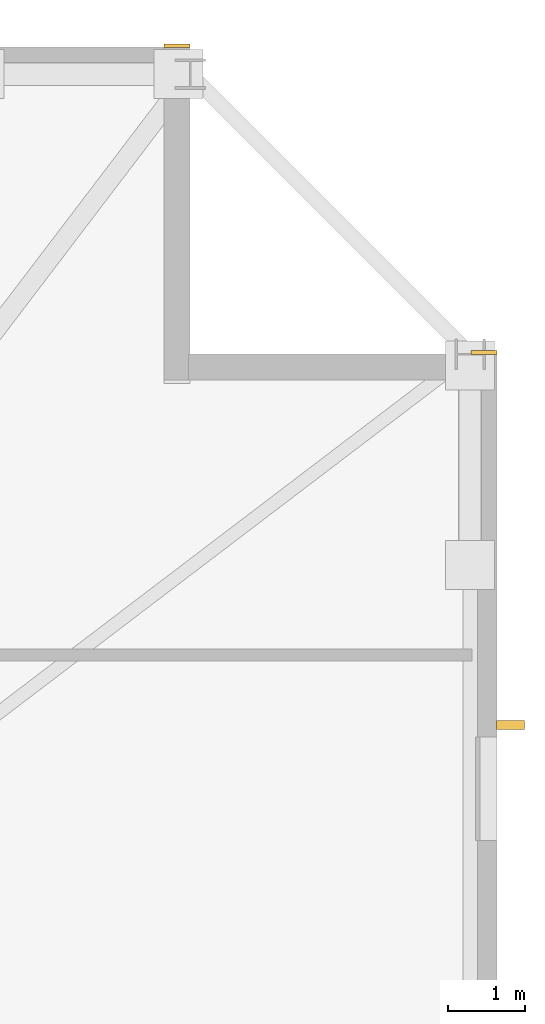
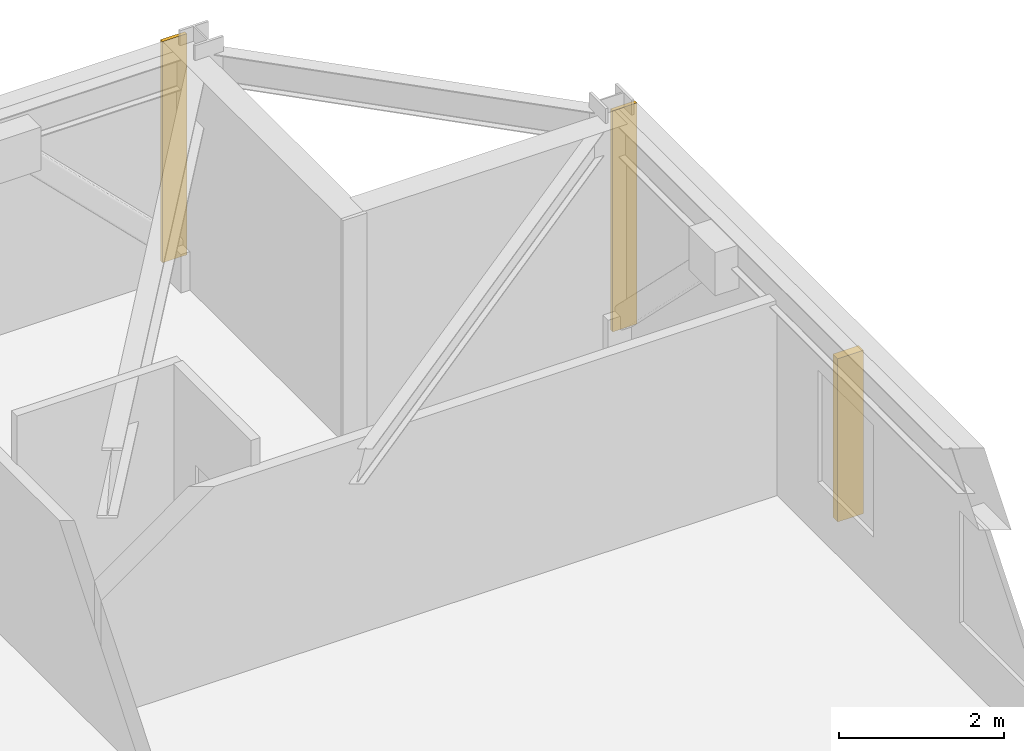
# One storey, part 11 of 11: 2 coverings, 1 shading device.
"""IFC4 building model written with IfcOpenShell, lengths in metres."""

from ifc_helpers import new_model, si_unit, direction, frame, frame_2d, origin, origin_2d, place, context, subcontext, project, spatial, rectangle, extrude, material, layer, layer_set, type_object, element, save


model = new_model("IFC4")

# Units and contexts
model_context = context("Model", 3, precision=1e-05, world=origin(), true_north=direction((0.0, 1.0)))
body_context = subcontext(model_context, "Body", "Model", "MODEL_VIEW")
ifc_project = project(units=[si_unit("LENGTHUNIT", "METRE"), si_unit("AREAUNIT", "SQUARE_METRE"), si_unit("VOLUMEUNIT", "CUBIC_METRE"), si_unit("PLANEANGLEUNIT", "RADIAN"), si_unit("MASSUNIT", "GRAM", prefix="KILO")], contexts=[model_context])

# Site, building, storey
site_placement = place(None, origin())
site = spatial("IfcSite", under=ifc_project, at=site_placement, CompositionType="ELEMENT")
building_placement = place(site_placement, origin())
building = spatial("IfcBuilding", under=site, at=building_placement, Name="Cairnveth Concourse Tower", CompositionType="ELEMENT")
storey_placement = place(building_placement, frame((0.0, 0.0, 176.0)))
storey = spatial("IfcBuildingStorey", under=building, at=storey_placement, Name="L48", CompositionType="ELEMENT", Elevation=176.0)

# Coverings
ifc_material_1 = material(Name="Dressed Melbourne Bluestone Cladding", Category="masonry")
ifc_layer = layer(ifc_material_1, 0.050048828125)
ifc_layer_set = layer_set([ifc_layer], Name="Dressed Melbourne Bluestone Cladding")
covering_type = type_object("IfcCoveringType", Name="DRESSED BLUESTONE PLINTH CLADDING 50", PredefinedType="CLADDING", material=ifc_layer_set)
for number, where, z_axis, x_axis, name in (
    (1, (71.659912109375, 63.02001953125, 0.0), (0.0, 0.0, 1.0), (1.0, 0.0, 0.0), "Melbourne Bluestone Corner Quoin L48-717"),
    (2, (75.659912109375, 59.02001953125, 0.0), (0.0, 0.0, 1.0), (1.0, 0.0, 0.0), "Melbourne Bluestone Corner Quoin L48-719"),
):
    element("IfcCovering", number, at=place(storey_placement, frame(where, z_axis=z_axis, x_axis=x_axis)), inside=storey, type_object=covering_type, Name=name, PredefinedType="CLADDING", context=body_context, shape_type="SweptSolid", body=[
        extrude(rectangle(XDim=0.340087890625, YDim=0.050048828125, at=frame_2d((0.169921875, 0.0))), origin(), (0.0, 0.0, 1.0), 3.280029296875),
    ])

# Shading device
ifc_material_2 = material(Name="Architectural Bronze Anodised Aluminium 6063-T6", Category="aluminium")
shading_device_type = type_object("IfcShadingDeviceType", Name="GOTHIC BRONZE VERTICAL LANCET FIN", PredefinedType="USERDEFINED", material=ifc_material_2)
shading_device_placement = place(storey_placement, frame((76.175048828125, 54.166748046875, 0.030029296875), z_axis=(0.0, 0.0, 1.0), x_axis=(0.0, 1.0, 0.0)))
element("IfcShadingDevice", 3, at=shading_device_placement, inside=storey, type_object=shading_device_type, Name="Gothic Bronze Vertical Fin L48-12-1", ObjectType="VERTICAL FIN", PredefinedType="USERDEFINED", context=body_context, shape_type="SweptSolid", body=[
    extrude(rectangle(XDim=0.1201171875, YDim=0.360107421875, at=origin_2d()), origin(), (0.0, 0.0, 1.0), 2.419921875),
])

save(model, "model.ifc")
